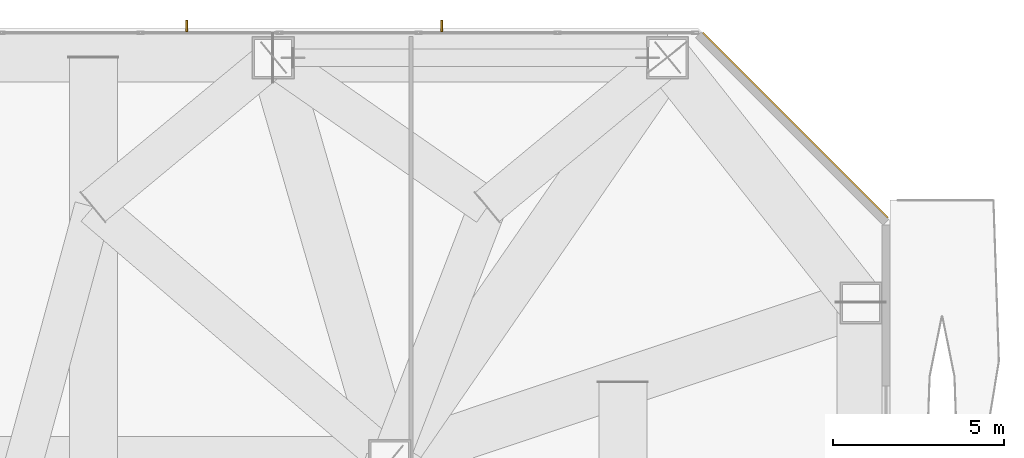
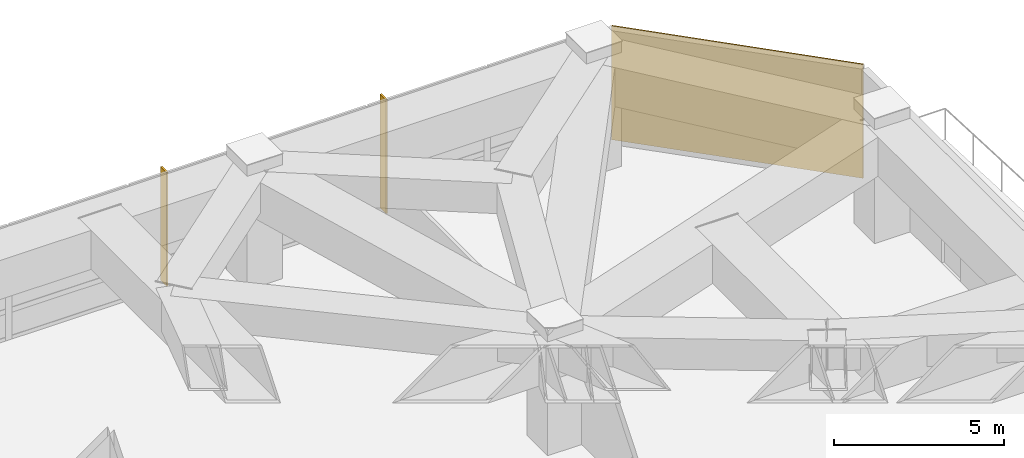
# One storey, part 27 of 27: 2 shading devices, 1 covering.
"""IFC4 building model written with IfcOpenShell, lengths in metres."""

import ifcopenshell
import ifcopenshell.guid

model = None  # the IFC model being written
_history = None  # IfcOwnerHistory: only IFC2X3 demands one
_inside = {}  # id of a spatial element -> (the spatial element, [elements in it])
_under = {}  # id of a project, library or spatial element -> (it, [spatial elements below it])
_declared = {}  # id of a project -> (the project, [libraries it declares])
_typed = {}  # id of a type object -> (the type object, [elements of that type])
_made_of = {}  # id of a material, layer set ... -> (it, [elements and type objects made of it])


def new_model(schema):
    """Start an empty IFC model of exactly this schema.

    Asked for "IFC4X3", IfcOpenShell would pick the latest addendum, in which some entities
    have other attributes; the version numbers below select the first issue.
    IFC2X3 requires an IfcOwnerHistory on every rooted entity: one is made here for all.
    """
    global model, _history
    if schema == "IFC4X3":
        model = ifcopenshell.file(schema_version=(4, 3, 0, 0))
    else:
        model = ifcopenshell.file(schema=schema)
    _inside.clear()
    _under.clear()
    _declared.clear()
    _typed.clear()
    _made_of.clear()
    _history = None
    if model.schema == "IFC2X3":
        org = make("IfcOrganization", Name="unknown")
        user = make(
            "IfcPersonAndOrganization",
            ThePerson=make("IfcPerson", FamilyName="unknown"),
            TheOrganization=org,
        )
        app = make(
            "IfcApplication",
            ApplicationDeveloper=org,
            Version="unknown",
            ApplicationFullName="unknown",
            ApplicationIdentifier="unknown",
        )
        _history = make(
            "IfcOwnerHistory",
            OwningUser=user,
            OwningApplication=app,
            ChangeAction="ADDED",
            CreationDate=0,
        )
    return model


def make(cls, **values):
    """One entity of the class cls with the attributes given. An attribute that is None is left unset."""
    return model.create_entity(
        cls, **{name: value for name, value in values.items() if value is not None}
    )


def rooted(cls, **values):
    """An entity with a GlobalId (a new one), such as an element, a storey or a relation."""
    return make(cls, GlobalId=ifcopenshell.guid.new(), OwnerHistory=_history, **values)


def si_unit(unit_type, name, prefix=None):
    """IfcSIUnit, for example si_unit("LENGTHUNIT", "METRE", prefix="MILLI")."""
    return make("IfcSIUnit", UnitType=unit_type, Prefix=prefix, Name=name)


def assignment(units):
    """IfcUnitAssignment: the units of a project."""
    return None if units is None else make("IfcUnitAssignment", Units=units)


def point(xyz):
    """IfcCartesianPoint."""
    return None if xyz is None else make("IfcCartesianPoint", Coordinates=xyz)


def direction(xyz):
    """IfcDirection."""
    return None if xyz is None else make("IfcDirection", DirectionRatios=xyz)


def frame(location, z_axis=None, x_axis=None):
    """IfcAxis2Placement3D, a coordinate frame: its origin and axes. An axis left out is left unset."""
    return make(
        "IfcAxis2Placement3D",
        Location=point(location),
        Axis=direction(z_axis),
        RefDirection=direction(x_axis),
    )


def frame_2d(location, x_axis=None):
    """IfcAxis2Placement2D, a coordinate frame in the plane: its origin and x axis."""
    return make(
        "IfcAxis2Placement2D", Location=point(location), RefDirection=direction(x_axis)
    )


def origin():
    """The frame at (0, 0, 0) with its axes left unset."""
    return frame((0.0, 0.0, 0.0))


def origin_2d():
    """The frame at (0, 0) in the plane with its x axis left unset."""
    return frame_2d((0.0, 0.0))


def place(relative_to, where):
    """IfcLocalPlacement: puts the frame where relative to a parent placement (None: the world)."""
    return make(
        "IfcLocalPlacement", PlacementRelTo=relative_to, RelativePlacement=where
    )


def context(
    kind, dimensions, precision=None, world=None, true_north=None, identifier=None
):
    """IfcGeometricRepresentationContext, for example the 3D "Model" context."""
    return make(
        "IfcGeometricRepresentationContext",
        ContextIdentifier=identifier,
        ContextType=kind,
        CoordinateSpaceDimension=dimensions,
        Precision=precision,
        WorldCoordinateSystem=world,
        TrueNorth=true_north,
    )


def subcontext(parent, identifier, kind, view, scale=None):
    """IfcGeometricRepresentationSubContext, for example "Body" below "Model"."""
    return make(
        "IfcGeometricRepresentationSubContext",
        ContextIdentifier=identifier,
        ContextType=kind,
        ParentContext=parent,
        TargetScale=scale,
        TargetView=view,
    )


def project(units=None, contexts=None):
    """IfcProject with its units and contexts."""
    return rooted(
        "IfcProject",
        Name="project",
        RepresentationContexts=contexts,
        UnitsInContext=assignment(units),
    )


def spatial(cls, under=None, at=None, **own):
    """A site, building, storey or space (cls), placed at a placement, below another one or the project."""
    s = rooted(cls, ObjectPlacement=at, **own)
    if under is not None:
        _under.setdefault(under.id(), (under, []))[1].append(s)
    return s


def profile(cls, at=None, kind="AREA", **sizes):
    """A parametric profile (cls). Its sizes go by their IFC names, for example OverallWidth=200.0."""
    return make(cls, ProfileType=kind, Position=at, **sizes)


def rectangle(**sizes):
    """IfcRectangleProfileDef."""
    return profile("IfcRectangleProfileDef", **sizes)


def extrude(swept, where, along, depth):
    """IfcExtrudedAreaSolid: the profile swept, set in the frame where, extruded along a direction by depth."""
    return make(
        "IfcExtrudedAreaSolid",
        SweptArea=swept,
        Position=where,
        ExtrudedDirection=direction(along),
        Depth=depth,
    )


def shape(context_of_items, identifier, shape_type, items):
    """IfcShapeRepresentation: the items that make up one representation, for example the "Body"."""
    return make(
        "IfcShapeRepresentation",
        ContextOfItems=context_of_items,
        RepresentationIdentifier=identifier,
        RepresentationType=shape_type,
        Items=items,
    )


def material(Name=None, Category=None):
    """IfcMaterial."""
    return make("IfcMaterial", Name=Name, Category=Category)


def layer(
    of_material, thickness, ventilated=None, Name=None, Category=None, Priority=None
):
    """IfcMaterialLayer: one layer of a wall or slab, of a material (None: an air gap)."""
    return make(
        "IfcMaterialLayer",
        Material=of_material,
        LayerThickness=thickness,
        IsVentilated=ventilated,
        Name=Name,
        Category=Category,
        Priority=Priority,
    )


def layer_set(layers, Name=None):
    """IfcMaterialLayerSet."""
    return make("IfcMaterialLayerSet", MaterialLayers=layers, LayerSetName=Name)


def made_of(thing, what):
    """Note that an element or type object is made of a material, layer set ...; save() writes the relation."""
    if what is not None:
        _made_of.setdefault(what.id(), (what, []))[1].append(thing)
    return thing


def type_object(cls, material=None, **own):
    """A type object (cls), such as IfcWallType, which elements share."""
    return made_of(rooted(cls, **own), material)


def element(
    cls,
    number,
    at=None,
    inside=None,
    cuts=None,
    type_object=None,
    material=None,
    context=None,
    identifier="Body",
    shape_type=None,
    held_by="IfcProductDefinitionShape",
    body=None,
    shapes=None,
    **own,
):
    """One element of the class cls, such as IfcWall. Its Tag is "e" and its number.

    at: its placement. inside: the storey or other place that contains it. cuts: it is an
    opening in that element (IfcRelVoidsElement). A single representation is given by context,
    identifier, shape_type and body (its items); several are given by shapes. held_by: the class
    of the entity that holds the representations. save() writes the other relations.
    """
    e = rooted(cls, Tag="e%d" % number, ObjectPlacement=at, **own)
    if body is not None:
        shapes = [shape(context, identifier, shape_type, body)]
    if shapes is not None:
        e.Representation = make(held_by, Representations=shapes)
    if inside is not None:
        _inside.setdefault(inside.id(), (inside, []))[1].append(e)
    if cuts is not None:
        rooted(
            "IfcRelVoidsElement", RelatingBuildingElement=cuts, RelatedOpeningElement=e
        )
    if type_object is not None:
        _typed.setdefault(type_object.id(), (type_object, []))[1].append(e)
    return made_of(e, material)


def aggregate(whole, parts):
    """IfcRelAggregates: a whole, such as a stair, and the parts it consists of."""
    return rooted("IfcRelAggregates", RelatingObject=whole, RelatedObjects=parts)


def save(model, path):
    """Write the relations noted so far, then the file.

    IfcRelAggregates (storeys below a building ...), IfcRelContainedInSpatialStructure (elements
    in a storey), IfcRelDefinesByType, IfcRelAssociatesMaterial and IfcRelDeclares: one each for
    every whole, place, type object, material and project.
    """
    for whole, parts in _under.values():
        aggregate(whole, parts)
    for where, things in _inside.values():
        rooted(
            "IfcRelContainedInSpatialStructure",
            RelatedElements=things,
            RelatingStructure=where,
        )
    for kind, things in _typed.values():
        rooted("IfcRelDefinesByType", RelatedObjects=things, RelatingType=kind)
    for what, things in _made_of.values():
        rooted("IfcRelAssociatesMaterial", RelatedObjects=things, RelatingMaterial=what)
    for by, libraries in _declared.values():
        rooted("IfcRelDeclares", RelatingContext=by, RelatedDefinitions=libraries)
    model.write(path)


model = new_model("IFC4")

# Units and contexts
model_context = context("Model", 3, precision=1e-05, world=origin(), true_north=direction((0.0, 1.0)))
body_context = subcontext(model_context, "Body", "Model", "MODEL_VIEW")
ifc_project = project(units=[si_unit("LENGTHUNIT", "METRE"), si_unit("AREAUNIT", "SQUARE_METRE"), si_unit("VOLUMEUNIT", "CUBIC_METRE"), si_unit("PLANEANGLEUNIT", "RADIAN"), si_unit("MASSUNIT", "GRAM", prefix="KILO")], contexts=[model_context])

# Site, building, storey
site_placement = place(None, origin())
site = spatial("IfcSite", under=ifc_project, at=site_placement, CompositionType="ELEMENT")
building_placement = place(site_placement, origin())
building = spatial("IfcBuilding", under=site, at=building_placement, Name="Khamvora Tower", CompositionType="ELEMENT")
storey_placement = place(building_placement, frame((0.0, 0.0, 28.800048828125)))
storey = spatial("IfcBuildingStorey", under=building, at=storey_placement, Name="L06", CompositionType="ELEMENT", Elevation=28.800048828125)

# Covering
ifc_material_1 = material(Name="Pale Anodised Aluminium Rainscreen Panel", Category="aluminium")
ifc_layer = layer(ifc_material_1, 0.044921875)
ifc_layer_set = layer_set([ifc_layer], Name="Pale Anodised Aluminium Rainscreen Panel")
covering_type = type_object("IfcCoveringType", Name="COV-CLD-ALU", PredefinedType="CLADDING", material=ifc_layer_set)
covering_placement = place(storey_placement, frame((53.239990234375, 53.18505859375, 0.0), z_axis=(0.0, 0.0, 1.0), x_axis=(0.707106781187, -0.707106781187, 0.0)))
element("IfcCovering", 1, at=covering_placement, inside=storey, type_object=covering_type, Name="L06 chamfer rainscreen cladding 08.1", PredefinedType="CLADDING", context=body_context, shape_type="SweptSolid", body=[
    extrude(rectangle(XDim=7.64306640625, YDim=0.044921875, at=origin_2d()), origin(), (0.0, 0.0, 1.0), 4.080078125),
])

# Shading devices
ifc_material_2 = material(Name="Anodised Bronze Aluminium 6063-T6", Category="aluminium")
shading_device_type = type_object("IfcShadingDeviceType", Name="SHD-FIN-350", PredefinedType="USERDEFINED", material=ifc_material_2)
for number, where, z_axis, x_axis, name in (
    (2, (35.47607421875, 56.077880859375, 0.0), (0.0, 0.0, 1.0), (1.0, 0.0, 0.0), "L06 anodised bronze solar fin 07.04"),
    (3, (42.9130859375, 56.077880859375, 0.0), (0.0, 0.0, 1.0), (1.0, 0.0, 0.0), "L06 anodised bronze solar fin 07.05"),
):
    element("IfcShadingDevice", number, at=place(storey_placement, frame(where, z_axis=z_axis, x_axis=x_axis)), inside=storey, type_object=shading_device_type, Name=name, ObjectType="FIN", PredefinedType="USERDEFINED", context=body_context, shape_type="SweptSolid", body=[
        extrude(rectangle(XDim=0.054931640625, YDim=0.35009765625, at=origin_2d()), origin(), (0.0, 0.0, 1.0), 4.080078125),
    ])

save(model, "model.ifc")
